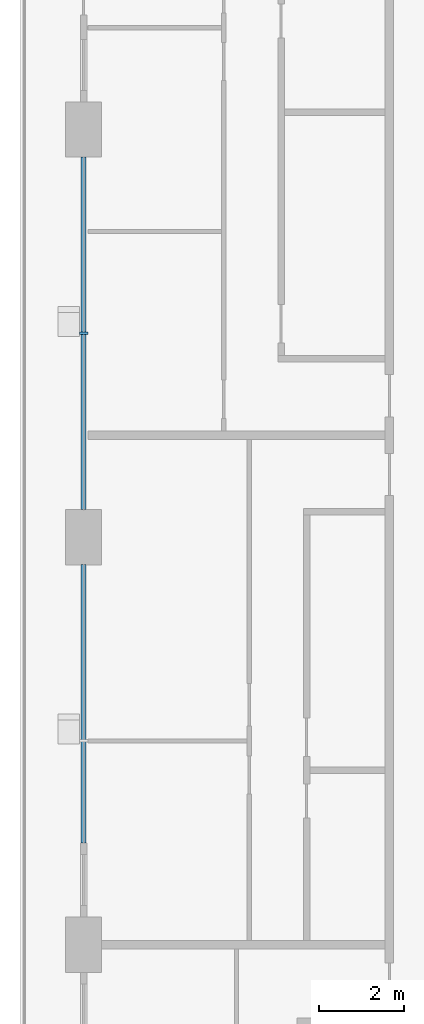
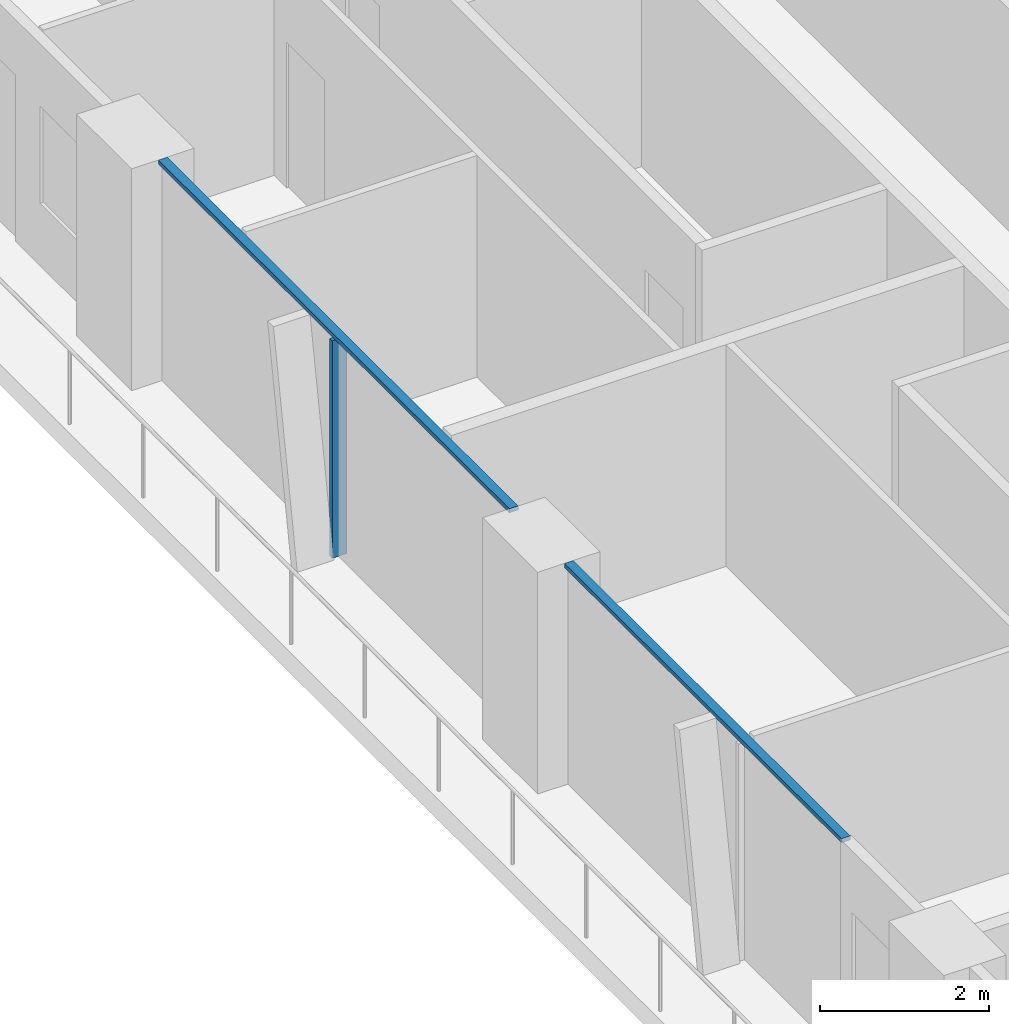
# One storey, part 3 of 22: 3 members, 2 elements without a shape of their own.
"""IFC4 building model written with IfcOpenShell, lengths in metres."""

from ifc_helpers import new_model, si_unit, direction, frame, origin, origin_2d, place, context, subcontext, project, spatial, rectangle, extrude, material, layer, layer_set, material_profile, profile_set, type_object, element, aggregate, save


model = new_model("IFC4")

# Units and contexts
model_context = context("Model", 3, precision=1e-05, world=origin(), true_north=direction((0.0, 1.0)))
body_context = subcontext(model_context, "Body", "Model", "MODEL_VIEW")
ifc_project = project(units=[si_unit("LENGTHUNIT", "METRE"), si_unit("AREAUNIT", "SQUARE_METRE"), si_unit("VOLUMEUNIT", "CUBIC_METRE"), si_unit("PLANEANGLEUNIT", "RADIAN"), si_unit("MASSUNIT", "GRAM", prefix="KILO")], contexts=[model_context])

# Site, building, storey
site_placement = place(None, origin())
site = spatial("IfcSite", under=ifc_project, at=site_placement, CompositionType="ELEMENT")
building_placement = place(site_placement, origin())
building = spatial("IfcBuilding", under=site, at=building_placement, Name="Madar Terraces", CompositionType="ELEMENT")
storey_placement = place(building_placement, frame((0.0, 0.0, 69.800048828125)))
storey = spatial("IfcBuildingStorey", under=building, at=storey_placement, Name="L17", CompositionType="ELEMENT", Elevation=69.800048828125)

# Curtain wall, members
ifc_material_1 = material(Name="Glass, ceramic frit dark grey, with black aluminium frame", Category="aluminium")
ifc_layer = layer(ifc_material_1, 0.199951171875)
ifc_layer_set = layer_set([ifc_layer], Name="Facade curtain wall, fritted glass")
curtain_wall_type = type_object("IfcCurtainWallType", Name="Facade curtain wall, fritted glass", PredefinedType="NOTDEFINED", material=ifc_layer_set)
curtain_wall_1_placement = place(storey_placement, origin())
curtain_wall_1 = element("IfcCurtainWall", 1, at=curtain_wall_1_placement, inside=storey, type_object=curtain_wall_type, Name="Outer skin curtain wall west bay 2", PredefinedType="NOTDEFINED")
ifc_material_2 = material(Name="Aluminium, black anodised", Category="aluminium")
ifc_material_profile_1 = material_profile(ifc_material_2, rectangle(XDim=0.199951171875, YDim=0.06005859375, at=origin_2d()), Name="Facade mullion 60x200")
ifc_profile_set_1 = profile_set([ifc_material_profile_1], Name="Aluminium, black anodised")
member_type_1 = type_object("IfcMemberType", Name="Facade mullion 60x200", PredefinedType="MULLION", material=ifc_profile_set_1)
member_1_placement = place(storey_placement, frame((4.800048828125, 28.800048828125, 0.0), z_axis=(0.0, 0.0, 1.0), x_axis=(1.0, 0.0, 0.0)))
member_1 = element("IfcMember", 2, at=member_1_placement, type_object=member_type_1, Name="Mullion 1", PredefinedType="MULLION", context=body_context, shape_type="SweptSolid", body=[
    extrude(rectangle(XDim=0.199951171875, YDim=0.06005859375, at=origin_2d()), origin(), (0.0, 0.0, 1.0), 3.139892578125),
])
ifc_material_3 = material(Name="Aluminium, black anodised", Category="aluminium")
ifc_material_profile_2 = material_profile(ifc_material_3, rectangle(XDim=0.1201171875, YDim=0.06005859375, at=origin_2d()), Name="Facade transom 60x120")
ifc_profile_set_2 = profile_set([ifc_material_profile_2], Name="Aluminium, black anodised")
member_type_2 = type_object("IfcMemberType", Name="Facade transom 60x120", PredefinedType="USERDEFINED", material=ifc_profile_set_2)
member_2_placement = place(storey_placement, frame((4.800048828125, 32.949951171875, 3.169921875), z_axis=(0.0, -1.0, 0.0), x_axis=(1.0, 0.0, 0.0)))
member_2 = element("IfcMember", 3, at=member_2_placement, type_object=member_type_2, Name="Transom 1", ObjectType="TRANSOM", PredefinedType="USERDEFINED", context=body_context, shape_type="SweptSolid", body=[
    extrude(rectangle(XDim=0.1201171875, YDim=0.06005859375, at=origin_2d()), origin(), (0.0, 0.0, 1.0), 8.300048828125),
])
aggregate(curtain_wall_1, [member_1, member_2])

# Curtain wall, member
curtain_wall_2_placement = place(storey_placement, origin())
curtain_wall_2 = element("IfcCurtainWall", 4, at=curtain_wall_2_placement, inside=storey, type_object=curtain_wall_type, Name="Outer skin curtain wall west bay 3", PredefinedType="NOTDEFINED")
member_3_placement = place(storey_placement, frame((4.800048828125, 23.35009765625, 3.169921875), z_axis=(0.0, -1.0, 0.0), x_axis=(1.0, 0.0, 0.0)))
member_3 = element("IfcMember", 5, at=member_3_placement, type_object=member_type_2, Name="Transom 1", ObjectType="TRANSOM", PredefinedType="USERDEFINED", context=body_context, shape_type="SweptSolid", body=[
    extrude(rectangle(XDim=0.1201171875, YDim=0.06005859375, at=origin_2d()), origin(), (0.0, 0.0, 1.0), 6.550048828125),
])
aggregate(curtain_wall_2, [member_3])

save(model, "model.ifc")
